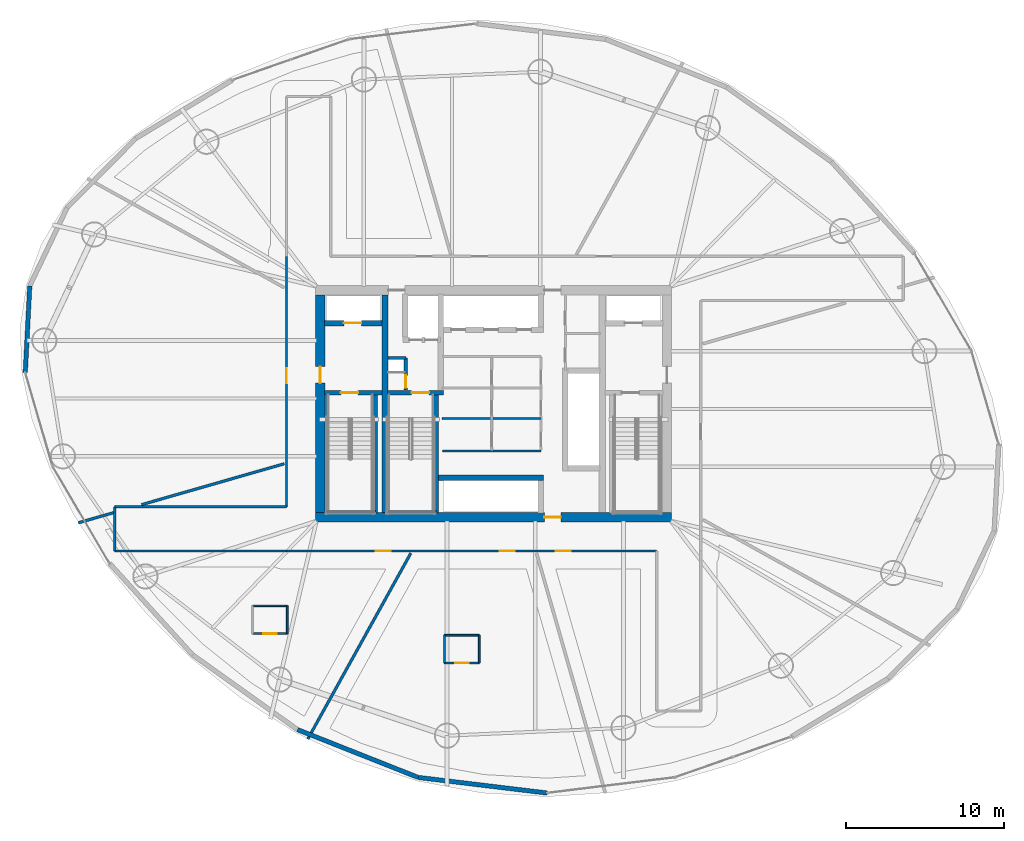
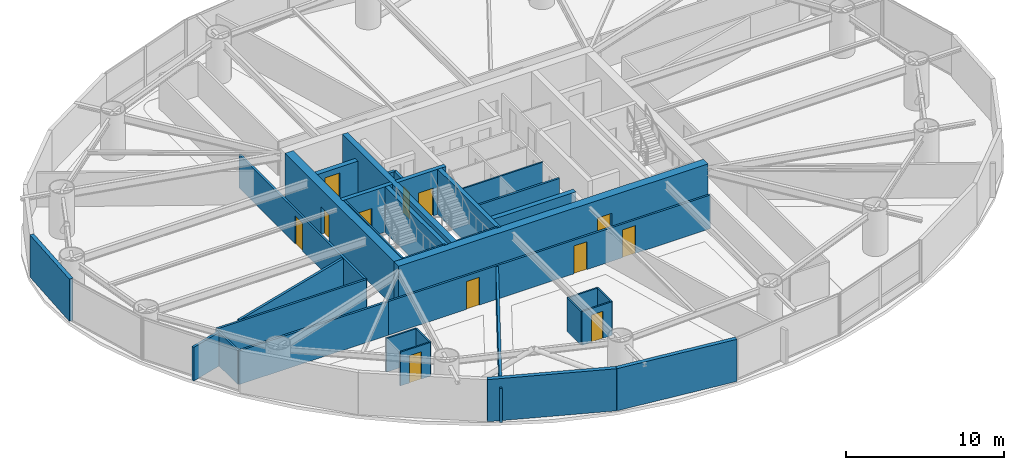
# One storey, part 23 of 30: 34 walls, 12 doors, 12 openings.
"""IFC4 building model written with IfcOpenShell, lengths in metres."""

from ifc_helpers import new_model, si_unit, direction, frame, frame_2d, origin, place, context, subcontext, project, spatial, rectangle, extrude, material, layer, layer_set, type_object, element, fill, save


model = new_model("IFC4")

# Units and contexts
model_context = context("Model", 3, precision=1e-05, world=origin(), true_north=direction((0.0, 1.0)))
body_context = subcontext(model_context, "Body", "Model", "MODEL_VIEW")
ifc_project = project(units=[si_unit("LENGTHUNIT", "METRE"), si_unit("AREAUNIT", "SQUARE_METRE"), si_unit("VOLUMEUNIT", "CUBIC_METRE"), si_unit("PLANEANGLEUNIT", "RADIAN"), si_unit("MASSUNIT", "GRAM", prefix="KILO")], contexts=[model_context])

# Site, building, storey
site_placement = place(None, origin())
site = spatial("IfcSite", under=ifc_project, at=site_placement, CompositionType="ELEMENT")
building_placement = place(site_placement, origin())
building = spatial("IfcBuilding", under=site, at=building_placement, Name="Bramvorn Convention Spire", CompositionType="ELEMENT")
storey_placement = place(building_placement, frame((0.0, 0.0, 90.39990234375)))
storey = spatial("IfcBuildingStorey", under=building, at=storey_placement, Name="L21", CompositionType="ELEMENT", Elevation=90.39990234375)

# Wall, opening, door
ifc_material_1 = material(Name="Concrete C60/70", Category="concrete")
ifc_layer_1 = layer(ifc_material_1, 0.60009765625)
ifc_layer_set_1 = layer_set([ifc_layer_1], Name="Concrete C60/70 - WL-CORE-600")
wall_type_1 = type_object("IfcWallType", Name="WL-CORE-600", PredefinedType="SHEAR", material=ifc_layer_set_1)
wall_1_placement = place(storey_placement, frame((26.699951171875, 18.800048828125, 0.0), z_axis=(0.0, 0.0, 1.0), x_axis=(1.0, 0.0, 0.0)))
wall_1 = element("IfcWall", 1, at=wall_1_placement, inside=storey, type_object=wall_type_1, Name="L21 South RC core shear wall", PredefinedType="SHEAR", context=body_context, shape_type="SweptSolid", body=[
    extrude(rectangle(XDim=22.60009765625, YDim=0.60009765625, at=frame_2d((11.300048828125, 0.0))), origin(), (0.0, 0.0, 1.0), 3.5),
])
opening_1_placement = place(wall_1_placement, frame((14.52001953125, 0.0, 0.0)))
opening_1 = element("IfcOpeningElement", 2, at=opening_1_placement, cuts=wall_1, Name="Opening DL-105", PredefinedType="OPENING", context=body_context, shape_type="SweptSolid", body=[
    extrude(rectangle(XDim=1.050048828125, YDim=2.14990234375, at=frame_2d((0.52490234375, 1.074951171875))), frame((0.0, 0.31005859375, 0.0), z_axis=(0.0, -1.0, 0.0), x_axis=(1.0, 0.0, 0.0)), (0.0, 0.0, 1.0), 0.6201171875),
])
ifc_material_2 = material(Name="Smoke-Sealed Fire Lobby Timber-Core Door", Category="wood")
door_type_1 = type_object("IfcDoorType", Name="DR-LOBBY-1050", OperationType="NOTDEFINED", PredefinedType="DOOR", material=ifc_material_2)
door_1_placement = place(opening_1_placement, origin())
door_1 = element("IfcDoor", 3, at=door_1_placement, inside=storey, type_object=door_type_1, Name="L21 South Lift Lobby fire door", OperationType="SINGLE_SWING_RIGHT", OverallHeight=2.14990234375, OverallWidth=1.050048828125, PredefinedType="DOOR", context=body_context, shape_type="SweptSolid", body=[
    extrude(rectangle(XDim=1.050048828125, YDim=2.14990234375, at=frame_2d((0.52490234375, 1.074951171875))), frame((0.0, 0.02490234375, 0.0), z_axis=(0.0, -1.0, 0.0), x_axis=(1.0, 0.0, 0.0)), (0.0, 0.0, 1.0), 0.050048828125),
])
fill(opening_1, door_1)

wall_2_placement = place(storey_placement, frame((27.0, 19.10009765625, 0.0), z_axis=(0.0, 0.0, 1.0), x_axis=(0.0, 1.0, 0.0)))
wall_2 = element("IfcWall", 4, at=wall_2_placement, inside=storey, type_object=wall_type_1, Name="L21 West RC core shear wall", PredefinedType="SHEAR", context=body_context, shape_type="SweptSolid", body=[
    extrude(rectangle(XDim=13.7998046875, YDim=0.60009765625, at=frame_2d((6.89990234375, 0.0))), origin(), (0.0, 0.0, 1.0), 3.5),
])
opening_2_placement = place(wall_2_placement, frame((8.199951171875, 0.0, 0.0)))
opening_2 = element("IfcOpeningElement", 5, at=opening_2_placement, cuts=wall_2, Name="Opening DL-105", PredefinedType="OPENING", context=body_context, shape_type="SweptSolid", body=[
    extrude(rectangle(XDim=1.050048828125, YDim=2.14990234375, at=frame_2d((0.52490234375, 1.074951171875))), frame((0.0, 0.31005859375, 0.0), z_axis=(0.0, -1.0, 0.0), x_axis=(1.0, 0.0, 0.0)), (0.0, 0.0, 1.0), 0.6201171875),
])
door_2_placement = place(opening_2_placement, origin())
door_2 = element("IfcDoor", 6, at=door_2_placement, inside=storey, type_object=door_type_1, Name="L21 West Firefighting Lobby corridor door", OperationType="SINGLE_SWING_RIGHT", OverallHeight=2.14990234375, OverallWidth=1.050048828125, PredefinedType="DOOR", context=body_context, shape_type="SweptSolid", body=[
    extrude(rectangle(XDim=1.050048828125, YDim=2.14990234375, at=frame_2d((0.52490234375, 1.074951171875))), frame((0.0, 0.02490234375, 0.0), z_axis=(0.0, -1.0, 0.0), x_axis=(1.0, 0.0, 0.0)), (0.0, 0.0, 1.0), 0.050048828125),
])
fill(opening_2, door_2)

ifc_material_3 = material(Name="Concrete C50/60", Category="concrete")
ifc_layer_2 = layer(ifc_material_3, 0.35009765625)
ifc_layer_set_2 = layer_set([ifc_layer_2], Name="Concrete C50/60 - WL-CORE-INT-350")
wall_type_2 = type_object("IfcWallType", Name="WL-CORE-INT-350", PredefinedType="SHEAR", material=ifc_layer_set_2)
wall_3_placement = place(storey_placement, frame((27.25, 31.1201171875, 0.0), z_axis=(0.0, 0.0, 1.0), x_axis=(1.0, 0.0, 0.0)))
wall_3 = element("IfcWall", 7, at=wall_3_placement, inside=storey, type_object=wall_type_2, Name="L21 FE1 shaft front wall", PredefinedType="SHEAR", context=body_context, shape_type="SweptSolid", body=[
    extrude(rectangle(XDim=3.669921875, YDim=0.35009765625, at=frame_2d((1.8349609375, 0.0))), origin(), (0.0, 0.0, 1.0), 2.60009765625),
])
opening_3_placement = place(wall_3_placement, frame((1.25, 0.0, 0.0)))
opening_3 = element("IfcOpeningElement", 8, at=opening_3_placement, cuts=wall_3, Name="Opening LD-110", PredefinedType="OPENING", context=body_context, shape_type="SweptSolid", body=[
    extrude(rectangle(XDim=1.10009765625, YDim=2.14990234375, at=frame_2d((0.550048828125, 1.074951171875))), frame((0.0, 0.18505859375, 0.0), z_axis=(0.0, -1.0, 0.0), x_axis=(1.0, 0.0, 0.0)), (0.0, 0.0, 1.0), 0.3701171875),
])
ifc_material_4 = material(Name="Firefighting & Service Lift Sliding Landing Door", Category="steel")
door_type_2 = type_object("IfcDoorType", Name="DR-LIFT-LD-1100", OperationType="NOTDEFINED", PredefinedType="DOOR", material=ifc_material_4)
door_3_placement = place(opening_3_placement, origin())
door_3 = element("IfcDoor", 9, at=door_3_placement, inside=storey, type_object=door_type_2, Name="L21 Lift FE1 Sliding Landing Door", OperationType="SLIDING_TO_LEFT", OverallHeight=2.14990234375, OverallWidth=1.10009765625, PredefinedType="DOOR", context=body_context, shape_type="SweptSolid", body=[
    extrude(rectangle(XDim=1.10009765625, YDim=2.14990234375, at=frame_2d((0.550048828125, 1.074951171875))), frame((0.0, 0.02490234375, 0.0), z_axis=(0.0, -1.0, 0.0), x_axis=(1.0, 0.0, 0.0)), (0.0, 0.0, 1.0), 0.050048828125),
])
fill(opening_3, door_3)

# Walls
wall_4_placement = place(storey_placement, frame((34.489990234375, 21.300048828125, 0.0), z_axis=(0.0, 0.0, 1.0), x_axis=(1.0, 0.0, 0.0)))
element("IfcWall", 10, at=wall_4_placement, inside=storey, type_object=wall_type_2, Name="L21 Mid-rise bank north landing wall", PredefinedType="SHEAR", context=body_context, shape_type="SweptSolid", body=[
    extrude(rectangle(XDim=6.679931640625, YDim=0.35009765625, at=frame_2d((3.33984375, 0.0))), origin(), (0.0, 0.0, 1.0), 2.60009765625),
])
ifc_layer_3 = layer(ifc_material_1, 0.39990234375)
ifc_layer_set_3 = layer_set([ifc_layer_3], Name="Concrete C60/70 - WL-CORE-INT-400")
wall_type_3 = type_object("IfcWallType", Name="WL-CORE-INT-400", PredefinedType="SHEAR", material=ifc_layer_set_3)
wall_5_placement = place(storey_placement, frame((31.10009765625, 19.10009765625, 0.0), z_axis=(0.0, 0.0, 1.0), x_axis=(0.0, 1.0, 0.0)))
element("IfcWall", 11, at=wall_5_placement, inside=storey, type_object=wall_type_3, Name="L21 West internal core shear web", PredefinedType="SHEAR", context=body_context, shape_type="SweptSolid", body=[
    extrude(rectangle(XDim=13.7998046875, YDim=0.39990234375, at=frame_2d((6.89990234375, 0.0))), origin(), (0.0, 0.0, 1.0), 3.5),
])
ifc_material_5 = material(Name="Precast Concrete C40/50 with Bronze Terracotta Rainscreen", Category="masonry")
ifc_layer_4 = layer(ifc_material_5, 0.300048828125)
ifc_layer_set_4 = layer_set([ifc_layer_4], Name="Precast Concrete C40/50 with Bronze Terracotta Rainscreen - WL-EXT-BRONZE-300")
wall_type_4 = type_object("IfcWallType", Name="WL-EXT-BRONZE-300", PredefinedType="SOLIDWALL", material=ifc_layer_set_4)
wall_6_placement = place(storey_placement, frame((8.270751953125, 27.988037109375, 0.0), z_axis=(0.0, 0.0, 1.0), x_axis=(0.051649739807, 0.998665261425, 0.0)))
element("IfcWall", 12, at=wall_6_placement, inside=storey, type_object=wall_type_4, Name="L21 expressed bronze Gothic lancet pier wall 13", PredefinedType="SOLIDWALL", context=body_context, shape_type="SweptSolid", body=[
    extrude(rectangle(XDim=5.497314453125, YDim=0.280029296875, at=frame_2d((2.74853515625, 0.0))), origin(), (0.0, 0.0, 1.0), 3.25),
])
wall_7_placement = place(storey_placement, frame((33.21337890625, 2.27783203125, 0.0), z_axis=(0.0, 0.0, 1.0), x_axis=(-0.929723797597, 0.368257600304, 0.0)))
element("IfcWall", 13, at=wall_7_placement, inside=storey, type_object=wall_type_4, Name="L21 expressed bronze Gothic lancet pier wall 18", PredefinedType="SOLIDWALL", context=body_context, shape_type="SweptSolid", body=[
    extrude(rectangle(XDim=8.2412109375, YDim=0.280029296875, at=frame_2d((4.12060546875, 0.0))), origin(), (0.0, 0.0, 1.0), 3.25),
])
wall_8_placement = place(storey_placement, frame((41.395263671875, 1.288818359375, 0.0), z_axis=(0.0, 0.0, 1.0), x_axis=(-0.992773297887, 0.120004912414, 0.0)))
element("IfcWall", 14, at=wall_8_placement, inside=storey, type_object=wall_type_4, Name="L21 expressed bronze Gothic lancet pier wall 19", PredefinedType="SOLIDWALL", context=body_context, shape_type="SweptSolid", body=[
    extrude(rectangle(XDim=8.241455078125, YDim=0.280029296875, at=frame_2d((4.12060546875, 0.0))), origin(), (0.0, 0.0, 1.0), 3.25),
])
ifc_material_6 = material(Name="Lightweight En-Suite & Wet-Wall Partition", Category="gypsum")
ifc_layer_5 = layer(ifc_material_6, 0.110107421875)
ifc_layer_set_5 = layer_set([ifc_layer_5], Name="Lightweight En-Suite & Wet-Wall Partition - WL-PART-110")
wall_type_5 = type_object("IfcWallType", Name="WL-PART-110", PredefinedType="PARTITIONING", material=ifc_layer_set_5)
wall_9_placement = place(storey_placement, frame((34.75, 25.055908203125, 0.0), z_axis=(0.0, 0.0, 1.0), x_axis=(1.0, 0.0, 0.0)))
element("IfcWall", 15, at=wall_9_placement, inside=storey, type_object=wall_type_5, Name="L21 KB divider 1", PredefinedType="PARTITIONING", context=body_context, shape_type="SweptSolid", body=[
    extrude(rectangle(XDim=6.25, YDim=0.110107421875, at=frame_2d((3.125, 0.0))), origin(), (0.0, 0.0, 1.0), 2.60009765625),
])

# Wall, opening, door
wall_10_placement = place(storey_placement, frame((22.70068359375, 11.408203125, 0.0), z_axis=(0.0, 0.0, 1.0), x_axis=(1.0, 0.0, 0.0)))
wall_10 = element("IfcWall", 16, at=wall_10_placement, inside=storey, type_object=wall_type_5, Name="Hotel Suite 2105 en-suite south wall", PredefinedType="PARTITIONING", context=body_context, shape_type="SweptSolid", body=[
    extrude(rectangle(XDim=2.2001953125, YDim=0.110107421875, at=frame_2d((1.10009765625, 0.0))), origin(), (0.0, 0.0, 1.0), 2.60009765625),
])
opening_4_placement = place(wall_10_placement, frame((0.679931640625, 0.0, 0.0)))
opening_4 = element("IfcOpeningElement", 17, at=opening_4_placement, cuts=wall_10, Name="Opening DI-085", PredefinedType="OPENING", context=body_context, shape_type="SweptSolid", body=[
    extrude(rectangle(XDim=0.85009765625, YDim=2.10009765625, at=frame_2d((0.425048828125, 1.050048828125))), frame((0.0, 0.06494140625, 0.0), z_axis=(0.0, -1.0, 0.0), x_axis=(1.0, 0.0, 0.0)), (0.0, 0.0, 1.0), 0.130126953125),
])
ifc_material_7 = material(Name="En-Suite & Restroom Privacy Door", Category="wood")
door_type_3 = type_object("IfcDoorType", Name="DR-INT-850", OperationType="NOTDEFINED", PredefinedType="DOOR", material=ifc_material_7)
door_4_placement = place(opening_4_placement, origin())
door_4 = element("IfcDoor", 18, at=door_4_placement, inside=storey, type_object=door_type_3, Name="Hotel Suite 2105 En-Suite Bathroom door", OperationType="SINGLE_SWING_LEFT", OverallHeight=2.10009765625, OverallWidth=0.85009765625, PredefinedType="DOOR", context=body_context, shape_type="SweptSolid", body=[
    extrude(rectangle(XDim=0.85009765625, YDim=2.10009765625, at=frame_2d((0.425048828125, 1.050048828125))), frame((0.0, 0.02490234375, 0.0), z_axis=(0.0, -1.0, 0.0), x_axis=(1.0, 0.0, 0.0)), (0.0, 0.0, 1.0), 0.050048828125),
])
fill(opening_4, door_4)

# Walls
wall_11_placement = place(storey_placement, frame((22.70068359375, 13.168212890625, 0.0), z_axis=(0.0, 0.0, 1.0), x_axis=(1.0, 0.0, 0.0)))
element("IfcWall", 19, at=wall_11_placement, inside=storey, type_object=wall_type_5, Name="Hotel Suite 2105 en-suite north wall", PredefinedType="PARTITIONING", context=body_context, shape_type="SweptSolid", body=[
    extrude(rectangle(XDim=2.2001953125, YDim=0.110107421875, at=frame_2d((1.10009765625, 0.0))), origin(), (0.0, 0.0, 1.0), 2.60009765625),
])
wall_12_placement = place(storey_placement, frame((24.90087890625, 11.408203125, 0.0), z_axis=(0.0, 0.0, 1.0), x_axis=(0.0, 1.0, 0.0)))
element("IfcWall", 20, at=wall_12_placement, inside=storey, type_object=wall_type_5, Name="Hotel Suite 2105 en-suite east wall", PredefinedType="PARTITIONING", context=body_context, shape_type="SweptSolid", body=[
    extrude(rectangle(XDim=1.760009765625, YDim=0.110107421875, at=frame_2d((0.8798828125, 0.0))), origin(), (0.0, 0.0, 1.0), 2.60009765625),
])

# Wall, opening, door
wall_13_placement = place(storey_placement, frame((34.87841796875, 9.5458984375, 0.0), z_axis=(0.0, 0.0, 1.0), x_axis=(1.0, 0.0, 0.0)))
wall_13 = element("IfcWall", 21, at=wall_13_placement, inside=storey, type_object=wall_type_5, Name="Hotel Suite 2106 en-suite south wall", PredefinedType="PARTITIONING", context=body_context, shape_type="SweptSolid", body=[
    extrude(rectangle(XDim=2.199951171875, YDim=0.110107421875, at=frame_2d((1.10009765625, 0.0))), origin(), (0.0, 0.0, 1.0), 2.60009765625),
])
opening_5_placement = place(wall_13_placement, frame((0.679931640625, 0.0, 0.0)))
opening_5 = element("IfcOpeningElement", 22, at=opening_5_placement, cuts=wall_13, Name="Opening DI-085", PredefinedType="OPENING", context=body_context, shape_type="SweptSolid", body=[
    extrude(rectangle(XDim=0.85009765625, YDim=2.10009765625, at=frame_2d((0.425048828125, 1.050048828125))), frame((0.0, 0.06494140625, 0.0), z_axis=(0.0, -1.0, 0.0), x_axis=(1.0, 0.0, 0.0)), (0.0, 0.0, 1.0), 0.130126953125),
])
door_5_placement = place(opening_5_placement, origin())
door_5 = element("IfcDoor", 23, at=door_5_placement, inside=storey, type_object=door_type_3, Name="Hotel Suite 2106 En-Suite Bathroom door", OperationType="SINGLE_SWING_LEFT", OverallHeight=2.10009765625, OverallWidth=0.85009765625, PredefinedType="DOOR", context=body_context, shape_type="SweptSolid", body=[
    extrude(rectangle(XDim=0.85009765625, YDim=2.10009765625, at=frame_2d((0.425048828125, 1.050048828125))), frame((0.0, 0.02490234375, 0.0), z_axis=(0.0, -1.0, 0.0), x_axis=(1.0, 0.0, 0.0)), (0.0, 0.0, 1.0), 0.050048828125),
])
fill(opening_5, door_5)

# Walls
wall_14_placement = place(storey_placement, frame((34.87841796875, 11.305908203125, 0.0), z_axis=(0.0, 0.0, 1.0), x_axis=(1.0, 0.0, 0.0)))
element("IfcWall", 24, at=wall_14_placement, inside=storey, type_object=wall_type_5, Name="Hotel Suite 2106 en-suite north wall", PredefinedType="PARTITIONING", context=body_context, shape_type="SweptSolid", body=[
    extrude(rectangle(XDim=2.199951171875, YDim=0.110107421875, at=frame_2d((1.10009765625, 0.0))), origin(), (0.0, 0.0, 1.0), 2.60009765625),
])
for number, where, z_axis, x_axis, name in (
    (25, (34.87841796875, 9.5458984375, 0.0), (0.0, 0.0, 1.0), (0.0, 1.0, 0.0), "Hotel Suite 2106 en-suite west wall"),
    (26, (37.078369140625, 9.5458984375, 0.0), (0.0, 0.0, 1.0), (0.0, 1.0, 0.0), "Hotel Suite 2106 en-suite east wall"),
):
    element("IfcWall", number, at=place(storey_placement, frame(where, z_axis=z_axis, x_axis=x_axis)), inside=storey, type_object=wall_type_5, Name=name, PredefinedType="PARTITIONING", context=body_context, shape_type="SweptSolid", body=[
        extrude(rectangle(XDim=1.760009765625, YDim=0.110107421875, at=frame_2d((0.8798828125, 0.0))), origin(), (0.0, 0.0, 1.0), 2.60009765625),
    ])
ifc_material_8 = material(Name="Acoustic Metal-Stud Tenant/Corridor Partition", Category="gypsum")
ifc_layer_6 = layer(ifc_material_8, 0.14990234375)
ifc_layer_set_6 = layer_set([ifc_layer_6], Name="Acoustic Metal-Stud Tenant/Corridor Partition - WL-PART-150")
wall_type_6 = type_object("IfcWallType", Name="WL-PART-150", PredefinedType="PARTITIONING", material=ifc_layer_set_6)
wall_15_placement = place(storey_placement, frame((34.75, 23.0, 0.0), z_axis=(0.0, 0.0, 1.0), x_axis=(1.0, 0.0, 0.0)))
element("IfcWall", 27, at=wall_15_placement, inside=storey, type_object=wall_type_6, Name="L21 Mid-rise lift vestibule north wall", PredefinedType="PARTITIONING", context=body_context, shape_type="SweptSolid", body=[
    extrude(rectangle(XDim=6.25, YDim=0.14990234375, at=frame_2d((3.125, 0.0))), origin(), (0.0, 0.0, 1.0), 2.60009765625),
])

# Wall, openings, doors
wall_16_placement = place(storey_placement, frame((24.85009765625, 16.64990234375, 0.0), z_axis=(0.0, 0.0, 1.0), x_axis=(1.0, 0.0, 0.0)))
wall_16 = element("IfcWall", 28, at=wall_16_placement, inside=storey, type_object=wall_type_6, Name="L21 South ring corridor wall", PredefinedType="PARTITIONING", context=body_context, shape_type="SweptSolid", body=[
    extrude(rectangle(XDim=23.5, YDim=0.14990234375, at=frame_2d((11.75, 0.0))), origin(), (0.0, 0.0, 1.0), 2.60009765625),
])
opening_6_placement = place(wall_16_placement, frame((5.673095703125, 0.0, 0.0)))
opening_6 = element("IfcOpeningElement", 29, at=opening_6_placement, cuts=wall_16, Name="Opening DH-095", PredefinedType="OPENING", context=body_context, shape_type="SweptSolid", body=[
    extrude(rectangle(XDim=0.949951171875, YDim=2.14990234375, at=frame_2d((0.47509765625, 1.074951171875))), frame((0.0, 0.0849609375, 0.0), z_axis=(0.0, -1.0, 0.0), x_axis=(1.0, 0.0, 0.0)), (0.0, 0.0, 1.0), 0.169921875),
])
opening_7_placement = place(wall_16_placement, frame((13.546875, 0.0, 0.0)))
opening_7 = element("IfcOpeningElement", 30, at=opening_7_placement, cuts=wall_16, Name="Opening DH-095", PredefinedType="OPENING", context=body_context, shape_type="SweptSolid", body=[
    extrude(rectangle(XDim=0.949951171875, YDim=2.14990234375, at=frame_2d((0.47509765625, 1.074951171875))), frame((0.0, 0.0849609375, 0.0), z_axis=(0.0, -1.0, 0.0), x_axis=(1.0, 0.0, 0.0)), (0.0, 0.0, 1.0), 0.169921875),
])
opening_8_placement = place(wall_16_placement, frame((17.076904296875, 0.0, 0.0)))
opening_8 = element("IfcOpeningElement", 31, at=opening_8_placement, cuts=wall_16, Name="Opening DH-095", PredefinedType="OPENING", context=body_context, shape_type="SweptSolid", body=[
    extrude(rectangle(XDim=0.949951171875, YDim=2.14990234375, at=frame_2d((0.47509765625, 1.074951171875))), frame((0.0, 0.0849609375, 0.0), z_axis=(0.0, -1.0, 0.0), x_axis=(1.0, 0.0, 0.0)), (0.0, 0.0, 1.0), 0.169921875),
])
ifc_material_9 = material(Name="Solid-Core Acoustic Guestroom Entry Door", Category="wood")
door_type_4 = type_object("IfcDoorType", Name="DR-HOTEL-950", OperationType="NOTDEFINED", PredefinedType="DOOR", material=ifc_material_9)
door_6_placement = place(opening_6_placement, origin())
door_6 = element("IfcDoor", 32, at=door_6_placement, inside=storey, type_object=door_type_4, Name="Hotel Suite 2105 entry door", OperationType="SINGLE_SWING_RIGHT", OverallHeight=2.14990234375, OverallWidth=0.949951171875, PredefinedType="DOOR", context=body_context, shape_type="SweptSolid", body=[
    extrude(rectangle(XDim=0.949951171875, YDim=2.14990234375, at=frame_2d((0.47509765625, 1.074951171875))), frame((0.0, 0.02490234375, 0.0), z_axis=(0.0, -1.0, 0.0), x_axis=(1.0, 0.0, 0.0)), (0.0, 0.0, 1.0), 0.050048828125),
])
fill(opening_6, door_6)
door_7_placement = place(opening_7_placement, origin())
door_7 = element("IfcDoor", 33, at=door_7_placement, inside=storey, type_object=door_type_4, Name="Hotel Suite 2106 entry door", OperationType="SINGLE_SWING_RIGHT", OverallHeight=2.14990234375, OverallWidth=0.949951171875, PredefinedType="DOOR", context=body_context, shape_type="SweptSolid", body=[
    extrude(rectangle(XDim=0.949951171875, YDim=2.14990234375, at=frame_2d((0.47509765625, 1.074951171875))), frame((0.0, 0.02490234375, 0.0), z_axis=(0.0, -1.0, 0.0), x_axis=(1.0, 0.0, 0.0)), (0.0, 0.0, 1.0), 0.050048828125),
])
fill(opening_7, door_7)
door_8_placement = place(opening_8_placement, origin())
door_8 = element("IfcDoor", 34, at=door_8_placement, inside=storey, type_object=door_type_4, Name="Hotel Suite 2107 entry door", OperationType="SINGLE_SWING_RIGHT", OverallHeight=2.14990234375, OverallWidth=0.949951171875, PredefinedType="DOOR", context=body_context, shape_type="SweptSolid", body=[
    extrude(rectangle(XDim=0.949951171875, YDim=2.14990234375, at=frame_2d((0.47509765625, 1.074951171875))), frame((0.0, 0.02490234375, 0.0), z_axis=(0.0, -1.0, 0.0), x_axis=(1.0, 0.0, 0.0)), (0.0, 0.0, 1.0), 0.050048828125),
])
fill(opening_8, door_8)

# Wall, opening, door
wall_17_placement = place(storey_placement, frame((24.85009765625, 19.449951171875, 0.0), z_axis=(0.0, 0.0, 1.0), x_axis=(0.0, 1.0, 0.0)))
wall_17 = element("IfcWall", 35, at=wall_17_placement, inside=storey, type_object=wall_type_6, Name="L21 West ring corridor wall", PredefinedType="PARTITIONING", context=body_context, shape_type="SweptSolid", body=[
    extrude(rectangle(XDim=15.900146484375, YDim=0.14990234375, at=frame_2d((7.9501953125, 0.0))), origin(), (0.0, 0.0, 1.0), 2.60009765625),
])
opening_9_placement = place(wall_17_placement, frame((7.851806640625, 0.0, 0.0)))
opening_9 = element("IfcOpeningElement", 36, at=opening_9_placement, cuts=wall_17, Name="Opening DH-095", PredefinedType="OPENING", context=body_context, shape_type="SweptSolid", body=[
    extrude(rectangle(XDim=0.949951171875, YDim=2.14990234375, at=frame_2d((0.47509765625, 1.074951171875))), frame((0.0, 0.0849609375, 0.0), z_axis=(0.0, -1.0, 0.0), x_axis=(1.0, 0.0, 0.0)), (0.0, 0.0, 1.0), 0.169921875),
])
door_9_placement = place(opening_9_placement, origin())
door_9 = element("IfcDoor", 37, at=door_9_placement, inside=storey, type_object=door_type_4, Name="L21 Hospitality Salon 4 door", OperationType="SINGLE_SWING_RIGHT", OverallHeight=2.14990234375, OverallWidth=0.949951171875, PredefinedType="DOOR", context=body_context, shape_type="SweptSolid", body=[
    extrude(rectangle(XDim=0.949951171875, YDim=2.14990234375, at=frame_2d((0.47509765625, 1.074951171875))), frame((0.0, 0.02490234375, 0.0), z_axis=(0.0, -1.0, 0.0), x_axis=(1.0, 0.0, 0.0)), (0.0, 0.0, 1.0), 0.050048828125),
])
fill(opening_9, door_9)

# Walls
for number, where, z_axis, x_axis, name in (
    (38, (13.941650390625, 19.449951171875, 0.0), (0.0, 0.0, 1.0), (1.0, 0.0, 0.0), "L21 SW pinwheel wing north wall"),
    (39, (13.941650390625, 16.64990234375, 0.0), (0.0, 0.0, 1.0), (1.0, 0.0, 0.0), "L21 SW pinwheel wing south wall"),
):
    element("IfcWall", number, at=place(storey_placement, frame(where, z_axis=z_axis, x_axis=x_axis)), inside=storey, type_object=wall_type_6, Name=name, PredefinedType="PARTITIONING", context=body_context, shape_type="SweptSolid", body=[
        extrude(rectangle(XDim=10.908447265625, YDim=0.14990234375, at=frame_2d((5.4541015625, 0.0))), origin(), (0.0, 0.0, 1.0), 2.60009765625),
    ])
wall_18_placement = place(storey_placement, frame((13.941650390625, 16.64990234375, 0.0), z_axis=(0.0, 0.0, 1.0), x_axis=(0.0, 1.0, 0.0)))
element("IfcWall", 40, at=wall_18_placement, inside=storey, type_object=wall_type_6, Name="L21 SW pinwheel end wall", PredefinedType="PARTITIONING", context=body_context, shape_type="SweptSolid", body=[
    extrude(rectangle(XDim=2.800048828125, YDim=0.14990234375, at=frame_2d((1.39990234375, 0.0))), origin(), (0.0, 0.0, 1.0), 2.60009765625),
])
ifc_material_10 = material(Name="Double-Stud Acoustic Hotel/Suite Partition", Category="gypsum")
ifc_layer_7 = layer(ifc_material_10, 0.175048828125)
ifc_layer_set_7 = layer_set([ifc_layer_7], Name="Double-Stud Acoustic Hotel/Suite Partition - WL-PART-175")
wall_type_7 = type_object("IfcWallType", Name="WL-PART-175", PredefinedType="PARTITIONING", material=ifc_layer_set_7)
wall_19_placement = place(storey_placement, frame((24.7099609375, 22.189208984375, 0.0), z_axis=(0.0, 0.0, 1.0), x_axis=(-0.961261668066, -0.275637453019, 0.0)))
element("IfcWall", 41, at=wall_19_placement, inside=storey, type_object=wall_type_7, Name="L21 Guestroom demising wall 5", PredefinedType="PARTITIONING", context=body_context, shape_type="SweptSolid", body=[
    extrude(rectangle(XDim=9.429443359375, YDim=0.175048828125, at=frame_2d((4.71484375, 0.0))), origin(), (0.0, 0.0, 1.0), 2.60009765625),
])
wall_20_placement = place(storey_placement, frame((13.993896484375, 19.116455078125, 0.0), z_axis=(0.0, 0.0, 1.0), x_axis=(-0.961257162415, -0.275653165602, 0.0)))
element("IfcWall", 42, at=wall_20_placement, inside=storey, type_object=wall_type_7, Name="L21 Guestroom demising wall 5", PredefinedType="PARTITIONING", context=body_context, shape_type="SweptSolid", body=[
    extrude(rectangle(XDim=2.4560546875, YDim=0.175048828125, at=frame_2d((1.22802734375, 0.0))), origin(), (0.0, 0.0, 1.0), 2.60009765625),
])
wall_21_placement = place(storey_placement, frame((32.739501953125, 16.510009765625, 0.0), z_axis=(0.0, 0.0, 1.0), x_axis=(-0.484803658496, -0.874623011765, 0.0)))
element("IfcWall", 43, at=wall_21_placement, inside=storey, type_object=wall_type_7, Name="L21 Guestroom demising wall 6", PredefinedType="PARTITIONING", context=body_context, shape_type="SweptSolid", body=[
    extrude(rectangle(XDim=13.489013671875, YDim=0.175048828125, at=frame_2d((6.74462890625, 0.0))), origin(), (0.0, 0.0, 1.0), 2.60009765625),
])

# Wall, opening, door
ifc_material_11 = material(Name="Gypsum Shaftwall & Rockwool Core Partition", Category="gypsum")
ifc_layer_8 = layer(ifc_material_11, 0.199951171875)
ifc_layer_set_8 = layer_set([ifc_layer_8], Name="Gypsum Shaftwall & Rockwool Core Partition - WL-PART-200-FR")
wall_type_8 = type_object("IfcWallType", Name="WL-PART-200-FR", PredefinedType="PARTITIONING", material=ifc_layer_set_8)
wall_22_placement = place(storey_placement, frame((32.419921875, 26.860107421875, 0.0), z_axis=(0.0, 0.0, 1.0), x_axis=(0.0, 1.0, 0.0)))
wall_22 = element("IfcWall", 44, at=wall_22_placement, inside=storey, type_object=wall_type_8, Name="L21 Telecom riser east wall", PredefinedType="PARTITIONING", context=body_context, shape_type="SweptSolid", body=[
    extrude(rectangle(XDim=2.039794921875, YDim=0.199951171875, at=frame_2d((1.02001953125, 0.0))), origin(), (0.0, 0.0, 1.0), 2.60009765625),
])
opening_10_placement = place(wall_22_placement, frame((0.139892578125, 0.0, 0.0)))
opening_10 = element("IfcOpeningElement", 45, at=opening_10_placement, cuts=wall_22, Name="Opening DR-080", PredefinedType="OPENING", context=body_context, shape_type="SweptSolid", body=[
    extrude(rectangle(XDim=0.800048828125, YDim=2.050048828125, at=frame_2d((0.39990234375, 1.02490234375))), frame((0.0, 0.10986328125, 0.0), z_axis=(0.0, -1.0, 0.0), x_axis=(1.0, 0.0, 0.0)), (0.0, 0.0, 1.0), 0.219970703125),
])
ifc_material_12 = material(Name="Flush Steel Riser Access Door", Category="steel")
door_type_5 = type_object("IfcDoorType", Name="DR-RISER-800", OperationType="NOTDEFINED", PredefinedType="DOOR", material=ifc_material_12)
door_10_placement = place(opening_10_placement, origin())
door_10 = element("IfcDoor", 46, at=door_10_placement, inside=storey, type_object=door_type_5, Name="L21 Telecom riser access door", OperationType="SINGLE_SWING_RIGHT", OverallHeight=2.050048828125, OverallWidth=0.800048828125, PredefinedType="DOOR", context=body_context, shape_type="SweptSolid", body=[
    extrude(rectangle(XDim=0.800048828125, YDim=2.050048828125, at=frame_2d((0.39990234375, 1.02490234375))), frame((0.0, 0.02490234375, 0.0), z_axis=(0.0, -1.0, 0.0), x_axis=(1.0, 0.0, 0.0)), (0.0, 0.0, 1.0), 0.050048828125),
])
fill(opening_10, door_10)

# Wall
wall_23_placement = place(storey_placement, frame((31.300048828125, 28.89990234375, 0.0), z_axis=(0.0, 0.0, 1.0), x_axis=(1.0, 0.0, 0.0)))
element("IfcWall", 47, at=wall_23_placement, inside=storey, type_object=wall_type_8, Name="L21 Telecom riser north wall", PredefinedType="PARTITIONING", context=body_context, shape_type="SweptSolid", body=[
    extrude(rectangle(XDim=1.119873046875, YDim=0.199951171875, at=frame_2d((0.56005859375, 0.0))), origin(), (0.0, 0.0, 1.0), 2.60009765625),
])

# Wall, opening, door
ifc_layer_9 = layer(ifc_material_3, 0.300048828125)
ifc_layer_set_9 = layer_set([ifc_layer_9], Name="Concrete C50/60 - WL-POD-STAIR-300")
wall_type_9 = type_object("IfcWallType", Name="WL-POD-STAIR-300", PredefinedType="SHEAR", material=ifc_layer_set_9)
wall_24_placement = place(storey_placement, frame((27.25, 26.68994140625, 0.0), z_axis=(0.0, 0.0, 1.0), x_axis=(1.0, 0.0, 0.0)))
wall_24 = element("IfcWall", 48, at=wall_24_placement, inside=storey, type_object=wall_type_9, Name="L21 ST1 north fire wall", PredefinedType="SHEAR", context=body_context, shape_type="SweptSolid", body=[
    extrude(rectangle(XDim=3.669921875, YDim=0.300048828125, at=frame_2d((1.8349609375, 0.0))), origin(), (0.0, 0.0, 1.0), 3.5),
])
opening_11_placement = place(wall_24_placement, frame((1.050048828125, 0.0, 0.0)))
opening_11 = element("IfcOpeningElement", 49, at=opening_11_placement, cuts=wall_24, Name="Opening DS-110", PredefinedType="OPENING", context=body_context, shape_type="SweptSolid", body=[
    extrude(rectangle(XDim=1.10009765625, YDim=2.14990234375, at=frame_2d((0.550048828125, 1.074951171875))), frame((0.0, 0.159912109375, 0.0), z_axis=(0.0, -1.0, 0.0), x_axis=(1.0, 0.0, 0.0)), (0.0, 0.0, 1.0), 0.320068359375),
])
ifc_material_13 = material(Name="Fire-Rated Hollow Steel Stairwell Door", Category="steel")
door_type_6 = type_object("IfcDoorType", Name="DR-STAIR-1100", OperationType="NOTDEFINED", PredefinedType="DOOR", material=ifc_material_13)
door_11_placement = place(opening_11_placement, origin())
door_11 = element("IfcDoor", 50, at=door_11_placement, inside=storey, type_object=door_type_6, Name="L21 Stair ST1 fire door", OperationType="SINGLE_SWING_LEFT", OverallHeight=2.14990234375, OverallWidth=1.10009765625, PredefinedType="DOOR", context=body_context, shape_type="SweptSolid", body=[
    extrude(rectangle(XDim=1.10009765625, YDim=2.14990234375, at=frame_2d((0.550048828125, 1.074951171875))), frame((0.0, 0.02490234375, 0.0), z_axis=(0.0, -1.0, 0.0), x_axis=(1.0, 0.0, 0.0)), (0.0, 0.0, 1.0), 0.050048828125),
])
fill(opening_11, door_11)

# Walls
for number, where, z_axis, x_axis, name in (
    (51, (30.489990234375, 19.050048828125, 0.0), (0.0, 0.0, 1.0), (0.0, 1.0, 0.0), "L21 ST1 east bearing wall"),
    (52, (34.340087890625, 19.050048828125, 0.0), (0.0, 0.0, 1.0), (0.0, 1.0, 0.0), "L21 ST3 east bearing wall"),
):
    element("IfcWall", number, at=place(storey_placement, frame(where, z_axis=z_axis, x_axis=x_axis)), inside=storey, type_object=wall_type_9, Name=name, PredefinedType="SHEAR", context=body_context, shape_type="SweptSolid", body=[
        extrude(rectangle(XDim=7.5, YDim=0.300048828125, at=frame_2d((3.75, 0.0))), origin(), (0.0, 0.0, 1.0), 3.5),
    ])

# Wall, opening, door
wall_25_placement = place(storey_placement, frame((31.25, 26.68994140625, 0.0), z_axis=(0.0, 0.0, 1.0), x_axis=(1.0, 0.0, 0.0)))
wall_25 = element("IfcWall", 53, at=wall_25_placement, inside=storey, type_object=wall_type_9, Name="L21 ST3 north lobby wall", PredefinedType="SHEAR", context=body_context, shape_type="SweptSolid", body=[
    extrude(rectangle(XDim=3.56005859375, YDim=0.300048828125, at=frame_2d((1.780029296875, 0.0))), origin(), (0.0, 0.0, 1.0), 3.5),
])
opening_12_placement = place(wall_25_placement, frame((1.550048828125, 0.0, 0.0)))
opening_12 = element("IfcOpeningElement", 54, at=opening_12_placement, cuts=wall_25, Name="Opening DS-110", PredefinedType="OPENING", context=body_context, shape_type="SweptSolid", body=[
    extrude(rectangle(XDim=1.10009765625, YDim=2.14990234375, at=frame_2d((0.550048828125, 1.074951171875))), frame((0.0, 0.159912109375, 0.0), z_axis=(0.0, -1.0, 0.0), x_axis=(1.0, 0.0, 0.0)), (0.0, 0.0, 1.0), 0.320068359375),
])
door_12_placement = place(opening_12_placement, origin())
door_12 = element("IfcDoor", 55, at=door_12_placement, inside=storey, type_object=door_type_6, Name="L21 Stair ST3 fire door", OperationType="SINGLE_SWING_LEFT", OverallHeight=2.14990234375, OverallWidth=1.10009765625, PredefinedType="DOOR", context=body_context, shape_type="SweptSolid", body=[
    extrude(rectangle(XDim=1.10009765625, YDim=2.14990234375, at=frame_2d((0.550048828125, 1.074951171875))), frame((0.0, 0.02490234375, 0.0), z_axis=(0.0, -1.0, 0.0), x_axis=(1.0, 0.0, 0.0)), (0.0, 0.0, 1.0), 0.050048828125),
])
fill(opening_12, door_12)

# Walls
ifc_layer_10 = layer(ifc_material_3, 0.1201171875)
ifc_layer_set_10 = layer_set([ifc_layer_10], Name="Concrete C50/60 - WL-STAIR-RC-120")
wall_type_10 = type_object("IfcWallType", Name="WL-STAIR-RC-120", PredefinedType="SHEAR", material=ifc_layer_set_10)
wall_26_placement = place(storey_placement, frame((27.39501953125, 19.10009765625, 0.0), z_axis=(0.0, 0.0, 1.0), x_axis=(0.0, 1.0, 0.0)))
element("IfcWall", 56, at=wall_26_placement, inside=storey, type_object=wall_type_10, Name="L21 ST1 west bearing shear wall", PredefinedType="SHEAR", context=body_context, shape_type="SweptSolid", body=[
    extrude(rectangle(XDim=7.449951171875, YDim=0.1201171875, at=frame_2d((3.72509765625, 0.0))), origin(), (0.0, 0.0, 1.0), 3.5),
])
wall_27_placement = place(storey_placement, frame((27.39501953125, 19.159912109375, 0.0), z_axis=(0.0, 0.0, 1.0), x_axis=(1.0, 0.0, 0.0)))
element("IfcWall", 57, at=wall_27_placement, inside=storey, type_object=wall_type_10, Name="L21 ST1 south bearing shear wall", PredefinedType="SHEAR", context=body_context, shape_type="SweptSolid", body=[
    extrude(rectangle(XDim=3.094970703125, YDim=0.1201171875, at=frame_2d((1.54736328125, 0.0))), origin(), (0.0, 0.0, 1.0), 3.5),
])
wall_28_placement = place(storey_placement, frame((31.300048828125, 19.159912109375, 0.0), z_axis=(0.0, 0.0, 1.0), x_axis=(1.0, 0.0, 0.0)))
element("IfcWall", 58, at=wall_28_placement, inside=storey, type_object=wall_type_10, Name="L21 ST3 south bearing shear wall", PredefinedType="SHEAR", context=body_context, shape_type="SweptSolid", body=[
    extrude(rectangle(XDim=3.0400390625, YDim=0.1201171875, at=frame_2d((1.52001953125, 0.0))), origin(), (0.0, 0.0, 1.0), 3.5),
])

save(model, "model.ifc")
